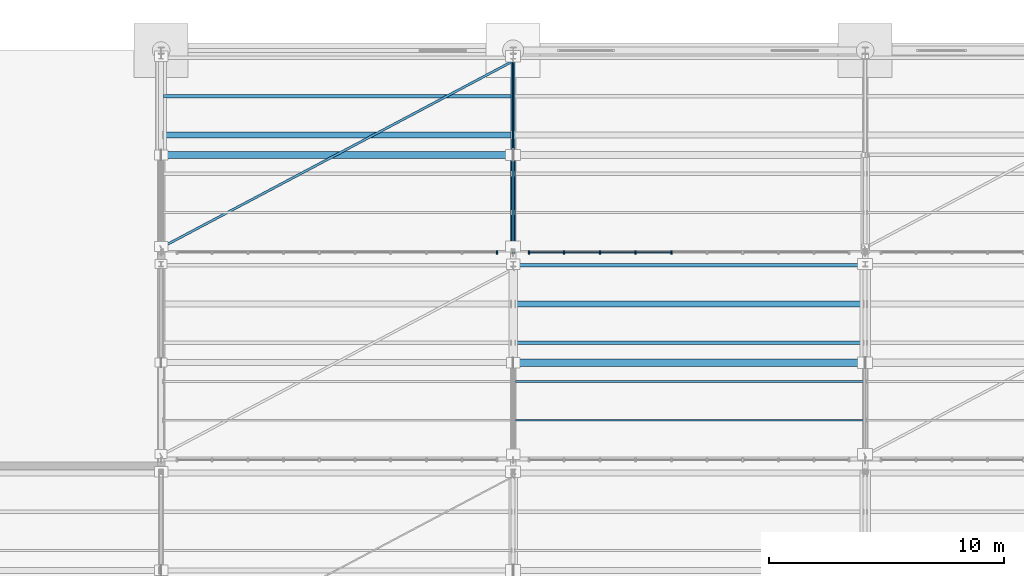
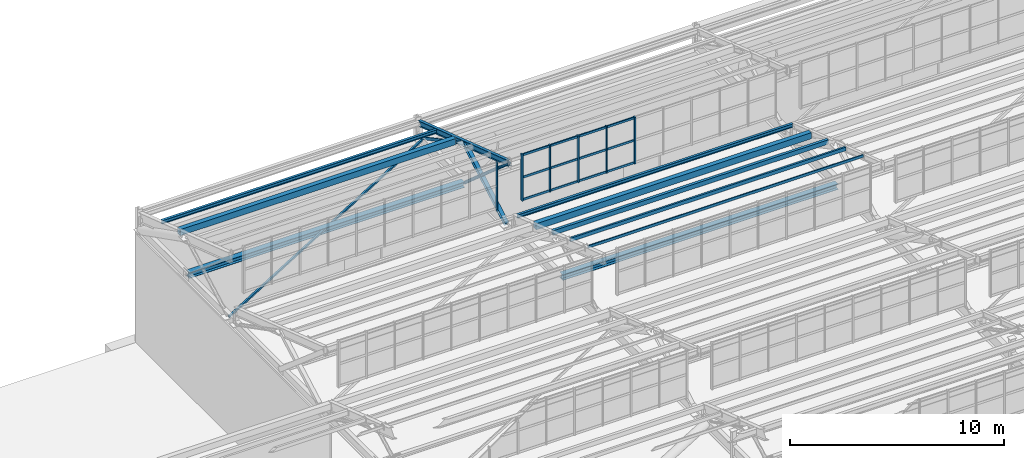
# One storey, part 135 of 285: 24 members, 8 beams, 2 elements without a shape of their own.
"""IFC4 building model written with IfcOpenShell, lengths in metres."""

from ifc_helpers import new_model, si_unit, direction, frame, origin, origin_2d, place, context, subcontext, project, spatial, rectangle, hollow_rectangle, hollow_circle, i_section, extrude, material, material_profile, profile_set, type_object, element, aggregate, save


model = new_model("IFC4")

# Units and contexts
model_context = context("Model", 3, precision=1e-05, world=origin(), true_north=direction((0.0, 1.0)))
body_context = subcontext(model_context, "Body", "Model", "MODEL_VIEW")
ifc_project = project(units=[si_unit("LENGTHUNIT", "METRE"), si_unit("AREAUNIT", "SQUARE_METRE"), si_unit("VOLUMEUNIT", "CUBIC_METRE"), si_unit("PLANEANGLEUNIT", "RADIAN"), si_unit("MASSUNIT", "GRAM", prefix="KILO")], contexts=[model_context])

# Site, building, storey
site_placement = place(None, origin())
site = spatial("IfcSite", under=ifc_project, at=site_placement, CompositionType="ELEMENT")
building_placement = place(site_placement, origin())
building = spatial("IfcBuilding", under=site, at=building_placement, Name="Solanera Park Tramway Depot", CompositionType="ELEMENT")
storey_placement = place(building_placement, origin())
storey = spatial("IfcBuildingStorey", under=building, at=storey_placement, Name="L00", CompositionType="ELEMENT", Elevation=0.0)

# Curtain wall, member
ifc_material_1 = material(Name="Bronze-anodised thermally broken aluminium curtain wall", Category="aluminium")
curtain_wall_type = type_object("IfcCurtainWallType", Name="Sawtooth Clerestory Monitor Curtain Wall", PredefinedType="NOTDEFINED", material=ifc_material_1)
curtain_wall_1_placement = place(storey_placement, origin())
curtain_wall_1 = element("IfcCurtainWall", 1, at=curtain_wall_1_placement, inside=storey, type_object=curtain_wall_type, Name="L00 Sawtooth Clerestory Monitor Curtain Wall #069", PredefinedType="NOTDEFINED")
ifc_material_2 = material(Name="Bronze-anodised structural aluminium 6063-T6", Category="aluminium")
ifc_material_profile_1 = material_profile(ifc_material_2, rectangle(XDim=0.06494140625, YDim=0.14990234375, at=origin_2d()), Name="Curtain Wall Mullion 65x150")
ifc_profile_set_1 = profile_set([ifc_material_profile_1], Name="Bronze-anodised structural aluminium 6063-T6")
member_type_1 = type_object("IfcMemberType", Name="Curtain Wall Mullion 65x150", PredefinedType="MULLION", material=ifc_profile_set_1)
member_1_placement = place(storey_placement, frame((104.3173828125, 135.39990234375, 7.75), z_axis=(0.0, 0.0, 1.0), x_axis=(1.0, 0.0, 0.0)))
member_1 = element("IfcMember", 2, at=member_1_placement, type_object=member_type_1, Name="CW-L00-069 Mullion 10", PredefinedType="MULLION", context=body_context, shape_type="SweptSolid", body=[
    extrude(rectangle(XDim=0.06494140625, YDim=0.14990234375, at=origin_2d()), origin(), (0.0, 0.0, 1.0), 2.6611328125),
])
aggregate(curtain_wall_1, [member_1])

# Curtain wall, members
curtain_wall_2_placement = place(storey_placement, origin())
curtain_wall_2 = element("IfcCurtainWall", 3, at=curtain_wall_2_placement, inside=storey, type_object=curtain_wall_type, Name="L00 Sawtooth Clerestory Monitor Curtain Wall #070", PredefinedType="NOTDEFINED")
member_2_placement = place(storey_placement, frame((105.6826171875, 135.39990234375, 7.75), z_axis=(0.0, 0.0, 1.0), x_axis=(1.0, 0.0, 0.0)))
member_2 = element("IfcMember", 4, at=member_2_placement, type_object=member_type_1, Name="CW-L00-070 Mullion 1", PredefinedType="MULLION", context=body_context, shape_type="SweptSolid", body=[
    extrude(rectangle(XDim=0.06494140625, YDim=0.14990234375, at=origin_2d()), origin(), (0.0, 0.0, 1.0), 2.6611328125),
])
member_3_placement = place(storey_placement, frame((107.172119140625, 135.39990234375, 7.75), z_axis=(0.0, 0.0, 1.0), x_axis=(1.0, 0.0, 0.0)))
member_3 = element("IfcMember", 5, at=member_3_placement, type_object=member_type_1, Name="CW-L00-070 Mullion 2", PredefinedType="MULLION", context=body_context, shape_type="SweptSolid", body=[
    extrude(rectangle(XDim=0.06494140625, YDim=0.14990234375, at=origin_2d()), origin(), (0.0, 0.0, 1.0), 2.6611328125),
])
member_4_placement = place(storey_placement, frame((108.6943359375, 135.39990234375, 7.75), z_axis=(0.0, 0.0, 1.0), x_axis=(1.0, 0.0, 0.0)))
member_4 = element("IfcMember", 6, at=member_4_placement, type_object=member_type_1, Name="CW-L00-070 Mullion 3", PredefinedType="MULLION", context=body_context, shape_type="SweptSolid", body=[
    extrude(rectangle(XDim=0.06494140625, YDim=0.14990234375, at=origin_2d()), origin(), (0.0, 0.0, 1.0), 2.6611328125),
])
member_5_placement = place(storey_placement, frame((110.216796875, 135.39990234375, 7.75), z_axis=(0.0, 0.0, 1.0), x_axis=(1.0, 0.0, 0.0)))
member_5 = element("IfcMember", 7, at=member_5_placement, type_object=member_type_1, Name="CW-L00-070 Mullion 4", PredefinedType="MULLION", context=body_context, shape_type="SweptSolid", body=[
    extrude(rectangle(XDim=0.06494140625, YDim=0.14990234375, at=origin_2d()), origin(), (0.0, 0.0, 1.0), 2.6611328125),
])
member_6_placement = place(storey_placement, frame((111.739013671875, 135.39990234375, 7.75), z_axis=(0.0, 0.0, 1.0), x_axis=(1.0, 0.0, 0.0)))
member_6 = element("IfcMember", 8, at=member_6_placement, type_object=member_type_1, Name="CW-L00-070 Mullion 5", PredefinedType="MULLION", context=body_context, shape_type="SweptSolid", body=[
    extrude(rectangle(XDim=0.06494140625, YDim=0.14990234375, at=origin_2d()), origin(), (0.0, 0.0, 1.0), 2.6611328125),
])
ifc_material_3 = material(Name="Bronze-anodised structural aluminium 6063-T6", Category="aluminium")
ifc_material_profile_2 = material_profile(ifc_material_3, rectangle(XDim=0.06494140625, YDim=0.1201171875, at=origin_2d()), Name="Curtain Wall Transom 65x120")
ifc_profile_set_2 = profile_set([ifc_material_profile_2], Name="Bronze-anodised structural aluminium 6063-T6")
member_type_2 = type_object("IfcMemberType", Name="Curtain Wall Transom 65x120", PredefinedType="USERDEFINED", material=ifc_profile_set_2)
member_7_placement = place(storey_placement, frame((105.71044921875, 135.39990234375, 7.81005859375), z_axis=(1.0, 0.0, 0.0), x_axis=(0.0, 1.0, 0.0)))
member_7 = element("IfcMember", 9, at=member_7_placement, type_object=member_type_2, Name="CW-L00-070 Transom R1.C1", ObjectType="TRANSOM", PredefinedType="USERDEFINED", context=body_context, shape_type="SweptSolid", body=[
    extrude(rectangle(XDim=0.06494140625, YDim=0.1201171875, at=origin_2d()), origin(), (0.0, 0.0, 1.0), 1.433837890625),
])
member_8_placement = place(storey_placement, frame((107.2001953125, 135.39990234375, 7.81005859375), z_axis=(1.0, 0.0, 0.0), x_axis=(0.0, 1.0, 0.0)))
member_8 = element("IfcMember", 10, at=member_8_placement, type_object=member_type_2, Name="CW-L00-070 Transom R1.C2", ObjectType="TRANSOM", PredefinedType="USERDEFINED", context=body_context, shape_type="SweptSolid", body=[
    extrude(rectangle(XDim=0.06494140625, YDim=0.1201171875, at=origin_2d()), origin(), (0.0, 0.0, 1.0), 1.46630859375),
])
member_9_placement = place(storey_placement, frame((108.722412109375, 135.39990234375, 7.81005859375), z_axis=(1.0, 0.0, 0.0), x_axis=(0.0, 1.0, 0.0)))
member_9 = element("IfcMember", 11, at=member_9_placement, type_object=member_type_2, Name="CW-L00-070 Transom R1.C3", ObjectType="TRANSOM", PredefinedType="USERDEFINED", context=body_context, shape_type="SweptSolid", body=[
    extrude(rectangle(XDim=0.06494140625, YDim=0.1201171875, at=origin_2d()), origin(), (0.0, 0.0, 1.0), 1.46630859375),
])
member_10_placement = place(storey_placement, frame((110.24462890625, 135.39990234375, 7.81005859375), z_axis=(1.0, 0.0, 0.0), x_axis=(0.0, 1.0, 0.0)))
member_10 = element("IfcMember", 12, at=member_10_placement, type_object=member_type_2, Name="CW-L00-070 Transom R1.C4", ObjectType="TRANSOM", PredefinedType="USERDEFINED", context=body_context, shape_type="SweptSolid", body=[
    extrude(rectangle(XDim=0.06494140625, YDim=0.1201171875, at=origin_2d()), origin(), (0.0, 0.0, 1.0), 1.46630859375),
])
member_11_placement = place(storey_placement, frame((105.71044921875, 135.39990234375, 9.08056640625), z_axis=(1.0, 0.0, 0.0), x_axis=(0.0, 1.0, 0.0)))
member_11 = element("IfcMember", 13, at=member_11_placement, type_object=member_type_2, Name="CW-L00-070 Transom R2.C1", ObjectType="TRANSOM", PredefinedType="USERDEFINED", context=body_context, shape_type="SweptSolid", body=[
    extrude(rectangle(XDim=0.06494140625, YDim=0.1201171875, at=origin_2d()), origin(), (0.0, 0.0, 1.0), 1.433837890625),
])
member_12_placement = place(storey_placement, frame((107.2001953125, 135.39990234375, 9.08056640625), z_axis=(1.0, 0.0, 0.0), x_axis=(0.0, 1.0, 0.0)))
member_12 = element("IfcMember", 14, at=member_12_placement, type_object=member_type_2, Name="CW-L00-070 Transom R2.C2", ObjectType="TRANSOM", PredefinedType="USERDEFINED", context=body_context, shape_type="SweptSolid", body=[
    extrude(rectangle(XDim=0.06494140625, YDim=0.1201171875, at=origin_2d()), origin(), (0.0, 0.0, 1.0), 1.46630859375),
])
member_13_placement = place(storey_placement, frame((108.722412109375, 135.39990234375, 9.08056640625), z_axis=(1.0, 0.0, 0.0), x_axis=(0.0, 1.0, 0.0)))
member_13 = element("IfcMember", 15, at=member_13_placement, type_object=member_type_2, Name="CW-L00-070 Transom R2.C3", ObjectType="TRANSOM", PredefinedType="USERDEFINED", context=body_context, shape_type="SweptSolid", body=[
    extrude(rectangle(XDim=0.06494140625, YDim=0.1201171875, at=origin_2d()), origin(), (0.0, 0.0, 1.0), 1.46630859375),
])
member_14_placement = place(storey_placement, frame((110.24462890625, 135.39990234375, 9.08056640625), z_axis=(1.0, 0.0, 0.0), x_axis=(0.0, 1.0, 0.0)))
member_14 = element("IfcMember", 16, at=member_14_placement, type_object=member_type_2, Name="CW-L00-070 Transom R2.C4", ObjectType="TRANSOM", PredefinedType="USERDEFINED", context=body_context, shape_type="SweptSolid", body=[
    extrude(rectangle(XDim=0.06494140625, YDim=0.1201171875, at=origin_2d()), origin(), (0.0, 0.0, 1.0), 1.46630859375),
])
member_15_placement = place(storey_placement, frame((105.71044921875, 135.39990234375, 10.351318359375), z_axis=(1.0, 0.0, 0.0), x_axis=(0.0, 1.0, 0.0)))
member_15 = element("IfcMember", 17, at=member_15_placement, type_object=member_type_2, Name="CW-L00-070 Transom R3.C1", ObjectType="TRANSOM", PredefinedType="USERDEFINED", context=body_context, shape_type="SweptSolid", body=[
    extrude(rectangle(XDim=0.06494140625, YDim=0.1201171875, at=origin_2d()), origin(), (0.0, 0.0, 1.0), 1.433837890625),
])
member_16_placement = place(storey_placement, frame((107.2001953125, 135.39990234375, 10.351318359375), z_axis=(1.0, 0.0, 0.0), x_axis=(0.0, 1.0, 0.0)))
member_16 = element("IfcMember", 18, at=member_16_placement, type_object=member_type_2, Name="CW-L00-070 Transom R3.C2", ObjectType="TRANSOM", PredefinedType="USERDEFINED", context=body_context, shape_type="SweptSolid", body=[
    extrude(rectangle(XDim=0.06494140625, YDim=0.1201171875, at=origin_2d()), origin(), (0.0, 0.0, 1.0), 1.46630859375),
])
member_17_placement = place(storey_placement, frame((108.722412109375, 135.39990234375, 10.351318359375), z_axis=(1.0, 0.0, 0.0), x_axis=(0.0, 1.0, 0.0)))
member_17 = element("IfcMember", 19, at=member_17_placement, type_object=member_type_2, Name="CW-L00-070 Transom R3.C3", ObjectType="TRANSOM", PredefinedType="USERDEFINED", context=body_context, shape_type="SweptSolid", body=[
    extrude(rectangle(XDim=0.06494140625, YDim=0.1201171875, at=origin_2d()), origin(), (0.0, 0.0, 1.0), 1.46630859375),
])
member_18_placement = place(storey_placement, frame((110.24462890625, 135.39990234375, 10.351318359375), z_axis=(1.0, 0.0, 0.0), x_axis=(0.0, 1.0, 0.0)))
member_18 = element("IfcMember", 20, at=member_18_placement, type_object=member_type_2, Name="CW-L00-070 Transom R3.C4", ObjectType="TRANSOM", PredefinedType="USERDEFINED", context=body_context, shape_type="SweptSolid", body=[
    extrude(rectangle(XDim=0.06494140625, YDim=0.1201171875, at=origin_2d()), origin(), (0.0, 0.0, 1.0), 1.46630859375),
])
aggregate(curtain_wall_2, [member_2, member_3, member_4, member_5, member_6, member_7, member_8, member_9, member_10, member_11, member_12, member_13, member_14, member_15, member_16, member_17, member_18])

# Members
ifc_material_4 = material(Name="Steel AS/NZS 3679.1 Grade 350", Category="steel")
ifc_material_profile_3 = material_profile(ifc_material_4, i_section(OverallWidth=0.205078125, OverallDepth=0.209716796875, WebThickness=0.00927734375, FlangeThickness=0.01416015625, at=origin_2d()), Name="200UC59.5")
ifc_profile_set_3 = profile_set([ifc_material_profile_3], Name="Steel AS/NZS 3679.1 Grade 350")
member_type_3 = type_object("IfcMemberType", Name="Roof Gantry Compression Strut 200UC59.5", PredefinedType="STRUT", material=ifc_profile_set_3)
member_19_placement = place(storey_placement, frame((105.0, 135.64990234375, 6.5), z_axis=(0.0, 0.866897509249, 0.498486417525), x_axis=(-1.0, 0.0, 0.0)))
element("IfcMember", 21, at=member_19_placement, inside=storey, type_object=member_type_3, Name="Sawtooth ROOF TRUSS Strut 200UC59.5 #0418", PredefinedType="STRUT", context=body_context, shape_type="SweptSolid", body=[
    extrude(i_section(OverallWidth=0.205078125, OverallDepth=0.209716796875, WebThickness=0.00927734375, FlangeThickness=0.01416015625, at=origin_2d()), origin(), (0.0, 0.0, 1.0), 4.4990234375),
])
ifc_material_5 = material(Name="Steel AS/NZS 3679.1 Grade 350", Category="steel")
ifc_material_profile_4 = material_profile(ifc_material_5, i_section(OverallWidth=0.306884765625, OverallDepth=0.314697265625, WebThickness=0.011962890625, FlangeThickness=0.018798828125, at=origin_2d()), Name="310UC118")
ifc_profile_set_4 = profile_set([ifc_material_profile_4], Name="Steel AS/NZS 3679.1 Grade 350")
member_type_4 = type_object("IfcMemberType", Name="Secondary Truss Chord 310UC118", PredefinedType="CHORD", material=ifc_profile_set_4)
for number, where, z_axis, x_axis, name in (
    (22, (105.087890625, 130.699951171875, 6.5), (1.0, 0.0, 0.0), (0.0, 1.0, 0.0), "Sawtooth Longitudinal Tie Chord 310UC118 #0398"),
    (23, (90.087890625, 139.550048828125, 6.5), (1.0, 0.0, 0.0), (0.0, 1.0, 0.0), "Sawtooth Longitudinal Tie Chord 310UC118 #0430"),
):
    element("IfcMember", number, at=place(storey_placement, frame(where, z_axis=z_axis, x_axis=x_axis)), inside=storey, type_object=member_type_4, Name=name, PredefinedType="CHORD", context=body_context, shape_type="SweptSolid", body=[
        extrude(i_section(OverallWidth=0.306884765625, OverallDepth=0.314697265625, WebThickness=0.011962890625, FlangeThickness=0.018798828125, at=origin_2d()), origin(), (0.0, 0.0, 1.0), 14.82421875),
    ])

# Beams
ifc_material_6 = material(Name="Steel AS/NZS 3679.1 Grade 350", Category="steel")
ifc_material_profile_5 = material_profile(ifc_material_6, i_section(OverallWidth=0.166015625, OverallDepth=0.30712890625, WebThickness=0.006591796875, FlangeThickness=0.01171875, at=origin_2d()), Name="310UB46.2")
ifc_profile_set_5 = profile_set([ifc_material_profile_5], Name="Steel AS/NZS 3679.1 Grade 350")
beam_type_1 = type_object("IfcBeamType", Name="Steel Beam 310UB46.2", PredefinedType="BEAM", material=ifc_profile_set_5)
beam_1_placement = place(storey_placement, frame((105.0, 135.39990234375, 10.131103515625), z_axis=(0.0, 0.948330572612, -0.317283981709), x_axis=(-1.0, 0.0, 0.0)))
element("IfcBeam", 24, at=beam_1_placement, inside=storey, type_object=beam_type_1, Name="Sawtooth ROOF TRUSS Top Rafter 310UB46.2 B10-T6", PredefinedType="BEAM", context=body_context, shape_type="SweptSolid", body=[
    extrude(i_section(OverallWidth=0.166015625, OverallDepth=0.30712890625, WebThickness=0.006591796875, FlangeThickness=0.01171875, at=origin_2d()), origin(), (0.0, 0.0, 1.0), 8.804931640625),
])
ifc_material_7 = material(Name="Steel AS/NZS 1163 Grade C350L0", Category="steel")
ifc_material_profile_6 = material_profile(ifc_material_7, hollow_rectangle(XDim=0.050048828125, YDim=0.14990234375, WallThickness=0.0048828125, at=origin_2d()), Name="150x50x5.0 RHS")
ifc_profile_set_6 = profile_set([ifc_material_profile_6], Name="Steel AS/NZS 1163 Grade C350L0")
beam_type_2 = type_object("IfcBeamType", Name="Steel Joist Purlin 150x50x5.0 RHS", PredefinedType="JOIST", material=ifc_profile_set_6)
beam_2_placement = place(storey_placement, frame((105.0966796875, 128.25, 9.654541015625), z_axis=(1.0, 0.0, 0.0), x_axis=(0.0, 1.0, 0.0)))
element("IfcBeam", 25, at=beam_2_placement, inside=storey, type_object=beam_type_2, Name="Sawtooth Roof Purlin 150x50x5.0 RHS B09.2", PredefinedType="JOIST", context=body_context, shape_type="SweptSolid", body=[
    extrude(hollow_rectangle(XDim=0.050048828125, YDim=0.14990234375, WallThickness=0.0048828125, at=origin_2d()), origin(), (0.0, 0.0, 1.0), 14.828369140625),
])
ifc_material_8 = material(Name="Steel AS/NZS 3679.1 Grade 350", Category="steel")
ifc_material_profile_7 = material_profile(ifc_material_8, i_section(OverallWidth=0.13330078125, OverallDepth=0.203125, WebThickness=0.005859375, FlangeThickness=0.0078125, at=origin_2d()), Name="200UB25.4")
ifc_profile_set_7 = profile_set([ifc_material_profile_7], Name="Steel AS/NZS 3679.1 Grade 350")
beam_type_3 = type_object("IfcBeamType", Name="Steel Joist Purlin 200UB25.4", PredefinedType="JOIST", material=ifc_profile_set_7)
for number, where, z_axis, x_axis, name in (
    (26, (105.0966796875, 134.85009765625, 7.40576171875), (1.0, 0.0, 0.0), (0.0, 1.0, 0.0), "Sawtooth Roof Purlin 200UB25.4 B09.6"),
    (27, (90.0966796875, 142.050048828125, 7.9580078125), (1.0, 0.0, 0.0), (0.0, 1.0, 0.0), "Sawtooth Roof Purlin 200UB25.4 B10.5"),
):
    element("IfcBeam", number, at=place(storey_placement, frame(where, z_axis=z_axis, x_axis=x_axis)), inside=storey, type_object=beam_type_3, Name=name, PredefinedType="JOIST", context=body_context, shape_type="SweptSolid", body=[
        extrude(i_section(OverallWidth=0.13330078125, OverallDepth=0.203125, WebThickness=0.005859375, FlangeThickness=0.0078125, at=origin_2d()), origin(), (0.0, 0.0, 1.0), 14.828369140625),
    ])
ifc_material_9 = material(Name="Steel AS/NZS 1163 Grade C350L0", Category="steel")
ifc_material_profile_8 = material_profile(ifc_material_9, hollow_rectangle(XDim=0.10009765625, YDim=0.199951171875, WallThickness=0.006103515625, at=origin_2d()), Name="200x100x6.0 RHS")
ifc_profile_set_8 = profile_set([ifc_material_profile_8], Name="Steel AS/NZS 1163 Grade C350L0")
beam_type_4 = type_object("IfcBeamType", Name="Steel Joist Purlin 200x100x6.0 RHS", PredefinedType="JOIST", material=ifc_profile_set_8)
beam_3_placement = place(storey_placement, frame((105.0966796875, 129.89990234375, 9.069091796875), z_axis=(1.0, 0.0, 0.0), x_axis=(0.0, 1.0, 0.0)))
element("IfcBeam", 28, at=beam_3_placement, inside=storey, type_object=beam_type_4, Name="Sawtooth Roof Purlin 200x100x6.0 RHS B09.3", PredefinedType="JOIST", context=body_context, shape_type="SweptSolid", body=[
    extrude(hollow_rectangle(XDim=0.10009765625, YDim=0.199951171875, WallThickness=0.006103515625, at=origin_2d()), origin(), (0.0, 0.0, 1.0), 14.828369140625),
])
ifc_material_10 = material(Name="Steel AS/NZS 1163 Grade C350L0", Category="steel")
ifc_material_profile_9 = material_profile(ifc_material_10, hollow_rectangle(XDim=0.14990234375, YDim=0.25, WallThickness=0.008056640625, at=origin_2d()), Name="250x150x8.0 RHS")
ifc_profile_set_9 = profile_set([ifc_material_profile_9], Name="Steel AS/NZS 1163 Grade C350L0")
beam_type_5 = type_object("IfcBeamType", Name="Steel Joist Purlin 250x150x8.0 RHS", PredefinedType="JOIST", material=ifc_profile_set_9)
beam_4_placement = place(storey_placement, frame((105.0966796875, 131.550048828125, 8.483642578125), z_axis=(1.0, 0.0, 0.0), x_axis=(0.0, 1.0, 0.0)))
element("IfcBeam", 29, at=beam_4_placement, inside=storey, type_object=beam_type_5, Name="Sawtooth Roof Purlin 250x150x8.0 RHS B09.4", PredefinedType="JOIST", context=body_context, shape_type="SweptSolid", body=[
    extrude(hollow_rectangle(XDim=0.14990234375, YDim=0.25, WallThickness=0.008056640625, at=origin_2d()), origin(), (0.0, 0.0, 1.0), 14.828369140625),
])
ifc_material_11 = material(Name="Steel AS/NZS 1163 Grade C350L0", Category="steel")
ifc_material_profile_10 = material_profile(ifc_material_11, hollow_rectangle(XDim=0.25, YDim=0.35009765625, WallThickness=0.010009765625, at=origin_2d()), Name="350x250x10.0 RHS")
ifc_profile_set_10 = profile_set([ifc_material_profile_10], Name="Steel AS/NZS 1163 Grade C350L0")
beam_type_6 = type_object("IfcBeamType", Name="Steel Joist Purlin 350x250x10.0 RHS", PredefinedType="JOIST", material=ifc_profile_set_10)
for number, where, z_axis, x_axis, name in (
    (30, (105.0966796875, 133.199951171875, 7.864990234375), (1.0, 0.0, 0.0), (0.0, 1.0, 0.0), "Sawtooth Roof Purlin 350x250x10.0 RHS B09.5"),
    (31, (90.0966796875, 140.39990234375, 8.4169921875), (1.0, 0.0, 0.0), (0.0, 1.0, 0.0), "Sawtooth Roof Purlin 350x250x10.0 RHS B10.4"),
):
    element("IfcBeam", number, at=place(storey_placement, frame(where, z_axis=z_axis, x_axis=x_axis)), inside=storey, type_object=beam_type_6, Name=name, PredefinedType="JOIST", context=body_context, shape_type="SweptSolid", body=[
        extrude(hollow_rectangle(XDim=0.25, YDim=0.35009765625, WallThickness=0.010009765625, at=origin_2d()), origin(), (0.0, 0.0, 1.0), 14.828369140625),
    ])

# Members
ifc_material_12 = material(Name="Steel AS/NZS 1163 Grade C350L0", Category="steel")
ifc_material_profile_11 = material_profile(ifc_material_12, hollow_rectangle(XDim=0.10009765625, YDim=0.10009765625, WallThickness=0.0048828125, at=origin_2d()), Name="100x100x5.0 SHS")
ifc_profile_set_11 = profile_set([ifc_material_profile_11], Name="Steel AS/NZS 1163 Grade C350L0")
member_type_5 = type_object("IfcMemberType", Name="Truss and Frame Brace 100x100x5.0 SHS", PredefinedType="BRACE", material=ifc_profile_set_11)
member_20_placement = place(storey_placement, frame((90.001953125, 135.60009765625, 6.5), z_axis=(0.883523615038, 0.468386615598, 0.0), x_axis=(-0.468386615598, 0.883523615038, 0.0)))
element("IfcMember", 32, at=member_20_placement, inside=storey, type_object=member_type_5, Name="Roof Plane Cyclonic Brace 100x100x5.0 SHS #0431", PredefinedType="BRACE", context=body_context, shape_type="SweptSolid", body=[
    extrude(hollow_rectangle(XDim=0.10009765625, YDim=0.10009765625, WallThickness=0.0048828125, at=origin_2d()), origin(), (0.0, 0.0, 1.0), 16.97314453125),
])
ifc_material_13 = material(Name="Steel AS/NZS 1163 Grade C350L0", Category="steel")
ifc_material_profile_12 = material_profile(ifc_material_13, hollow_rectangle(XDim=0.050048828125, YDim=0.14990234375, WallThickness=0.0048828125, at=origin_2d()), Name="150x50x5.0 RHS")
ifc_profile_set_12 = profile_set([ifc_material_profile_12], Name="Steel AS/NZS 1163 Grade C350L0")
member_type_6 = type_object("IfcMemberType", Name="Truss and Frame Brace 150x50x5.0 RHS", PredefinedType="BRACE", material=ifc_profile_set_12)
member_21_placement = place(storey_placement, frame((105.0, 143.75, 6.5), z_axis=(0.0, -0.882117205046, 0.471029974165), x_axis=(1.0, 0.0, 0.0)))
element("IfcMember", 33, at=member_21_placement, inside=storey, type_object=member_type_6, Name="Sawtooth ROOF TRUSS Diagonal 150x50x5.0 RHS #0417", PredefinedType="BRACE", context=body_context, shape_type="SweptSolid", body=[
    extrude(hollow_rectangle(XDim=0.050048828125, YDim=0.14990234375, WallThickness=0.0048828125, at=origin_2d()), origin(), (0.0, 0.0, 1.0), 4.76123046875),
])
ifc_material_14 = material(Name="Steel AS/NZS 1163 Grade C350L0", Category="steel")
ifc_material_profile_13 = material_profile(ifc_material_14, hollow_circle(Radius=0.084228515625, WallThickness=0.00634765625, at=origin_2d()), Name="168.3x6.4 CHS")
ifc_profile_set_13 = profile_set([ifc_material_profile_13], Name="Steel AS/NZS 1163 Grade C350L0")
member_type_7 = type_object("IfcMemberType", Name="Truss and Frame Brace 168.3x6.4 CHS", PredefinedType="BRACE", material=ifc_profile_set_13)
member_22_placement = place(storey_placement, frame((105.0, 139.550048828125, 6.5), z_axis=(0.0, -0.752601377508, 0.658476397886), x_axis=(1.0, 0.0, 0.0)))
element("IfcMember", 34, at=member_22_placement, inside=storey, type_object=member_type_7, Name="Sawtooth ROOF TRUSS Web Brace 168.3x6.4 CHS #0416", PredefinedType="BRACE", context=body_context, shape_type="SweptSolid", body=[
    extrude(hollow_circle(Radius=0.084228515625, WallThickness=0.00634765625, at=origin_2d()), origin(), (0.0, 0.0, 1.0), 5.514404296875),
])

save(model, "model.ifc")
